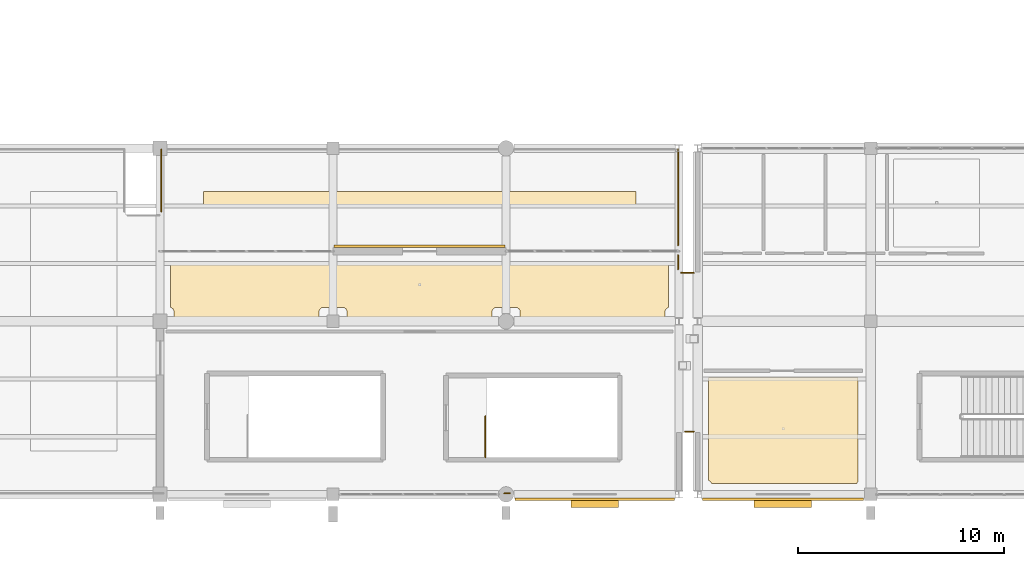
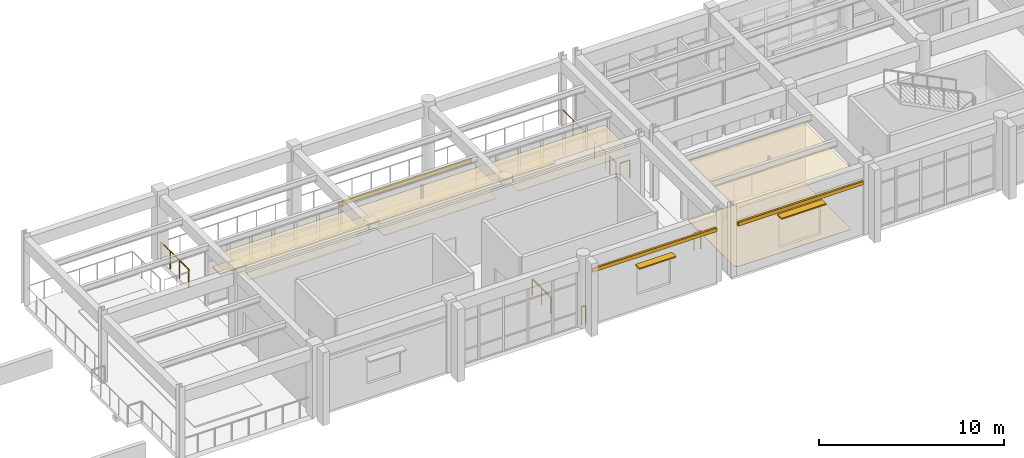
# One storey, part 122 of 139: 7 coverings, 7 railings, 2 shading devices.
"""IFC4 building model written with IfcOpenShell, lengths in metres."""

from ifc_helpers import new_model, si_unit, direction, frame, origin, origin_2d, place, context, subcontext, project, spatial, polyline, rectangle, circle, outline, extrude, material, layer, layer_set, type_object, element, save


model = new_model("IFC4")

# Units and contexts
model_context = context("Model", 3, precision=1e-05, world=origin(), true_north=direction((0.0, 1.0)))
body_context = subcontext(model_context, "Body", "Model", "MODEL_VIEW")
ifc_project = project(units=[si_unit("LENGTHUNIT", "METRE"), si_unit("AREAUNIT", "SQUARE_METRE"), si_unit("VOLUMEUNIT", "CUBIC_METRE"), si_unit("PLANEANGLEUNIT", "RADIAN"), si_unit("MASSUNIT", "GRAM", prefix="KILO")], contexts=[model_context])

# Site, building, storey
site_placement = place(None, origin())
site = spatial("IfcSite", under=ifc_project, at=site_placement, CompositionType="ELEMENT")
building_placement = place(site_placement, origin())
building = spatial("IfcBuilding", under=site, at=building_placement, Name="Canglan Escarpment Cableway Terminal", CompositionType="ELEMENT")
storey_placement = place(building_placement, frame((0.0, 0.0, 14.39990234375)))
storey = spatial("IfcBuildingStorey", under=building, at=storey_placement, Name="L03", CompositionType="ELEMENT", Elevation=14.39990234375)

# Coverings
ifc_material_1 = material(Name="Micro-perforated acoustic aluminium ceiling", Category="aluminium")
ifc_layer_1 = layer(ifc_material_1, 0.0400390625, Name="Micro-perforated acoustic aluminium ceiling")
ifc_layer_set_1 = layer_set([ifc_layer_1], Name="Micro-perforated acoustic aluminium ceiling")
covering_type_1 = type_object("IfcCoveringType", Name="COV-CEIL-ACOUSTIC-40", PredefinedType="CEILING", material=ifc_layer_set_1)
covering_1_placement = place(storey_placement, frame((0.0, 0.0, 3.580078125)))
element("IfcCovering", 1, at=covering_1_placement, inside=storey, type_object=covering_type_1, Name="Highland Photography Gallery suspended acoustic ceiling", PredefinedType="CEILING", context=body_context, shape_type="SweptSolid", body=[
    extrude(outline(polyline([(85.933349609375, 17.067138671875), (85.931396484375, 17.06787109375), (85.9296875, 17.06884765625), (85.92822265625, 17.06982421875), (85.9267578125, 17.071044921875), (85.92529296875, 17.072265625), (85.92431640625, 17.07373046875), (85.923095703125, 17.0751953125), (85.922119140625, 17.076904296875), (85.92138671875, 17.07861328125), (85.9208984375, 17.080322265625), (85.92041015625, 17.082275390625), (85.920166015625, 17.083984375), (85.919921875, 17.0859375), (85.919921875, 19.260009765625), (85.920166015625, 19.261962890625), (85.92041015625, 19.263916015625), (85.9208984375, 19.265869140625), (85.92138671875, 19.267578125), (85.92236328125, 19.269287109375), (85.92333984375, 19.27099609375), (85.924560546875, 19.272705078125), (85.92578125, 19.274169921875), (85.92724609375, 19.275390625), (85.928955078125, 19.276611328125), (85.9306640625, 19.277587890625), (85.932373046875, 19.278564453125), (85.93408203125, 19.279052734375), (85.93603515625, 19.279541015625), (85.93798828125, 19.27978515625), (85.93994140625, 19.280029296875), (110.06005859375, 19.280029296875), (110.06201171875, 19.27978515625), (110.06396484375, 19.279541015625), (110.06591796875, 19.279052734375), (110.067626953125, 19.278564453125), (110.0693359375, 19.277587890625), (110.071044921875, 19.276611328125), (110.07275390625, 19.275390625), (110.07421875, 19.274169921875), (110.075439453125, 19.272705078125), (110.07666015625, 19.27099609375), (110.07763671875, 19.269287109375), (110.07861328125, 19.267578125), (110.0791015625, 19.265869140625), (110.07958984375, 19.263916015625), (110.079833984375, 19.261962890625), (110.080078125, 19.260009765625), (110.080078125, 17.0859375), (110.079833984375, 17.083984375), (110.07958984375, 17.082275390625), (110.0791015625, 17.080322265625), (110.07861328125, 17.07861328125), (110.077880859375, 17.076904296875), (110.076904296875, 17.0751953125), (110.07568359375, 17.07373046875), (110.07470703125, 17.072265625), (110.0732421875, 17.071044921875), (110.07177734375, 17.06982421875), (110.0703125, 17.06884765625), (110.068603515625, 17.06787109375), (110.066650390625, 17.067138671875), (110.056396484375, 17.0634765625), (110.055419921875, 17.06298828125), (110.03662109375, 17.05419921875), (110.035888671875, 17.0537109375), (110.018310546875, 17.043212890625), (110.017333984375, 17.04248046875), (110.000732421875, 17.030517578125), (110.0, 17.02978515625), (109.98486328125, 17.015869140625), (109.984130859375, 17.01513671875), (109.97021484375, 17.0), (109.969482421875, 16.999267578125), (109.95751953125, 16.982666015625), (109.956787109375, 16.981689453125), (109.9462890625, 16.964111328125), (109.94580078125, 16.96337890625), (109.93701171875, 16.944580078125), (109.9365234375, 16.943603515625), (109.9296875, 16.92431640625), (109.929443359375, 16.92333984375), (109.92431640625, 16.9033203125), (109.92431640625, 16.90234375), (109.921142578125, 16.882080078125), (109.9208984375, 16.881103515625), (109.919921875, 16.860107421875), (109.919921875, 16.85986328125), (109.919921875, 16.239990234375), (109.919921875, 16.238037109375), (109.919677734375, 16.236083984375), (109.919189453125, 16.234130859375), (109.91845703125, 16.232421875), (109.91748046875, 16.230712890625), (109.91650390625, 16.22900390625), (109.91552734375, 16.227294921875), (109.9140625, 16.225830078125), (109.91259765625, 16.224609375), (109.9111328125, 16.223388671875), (109.909423828125, 16.222412109375), (109.90771484375, 16.221435546875), (109.90576171875, 16.220947265625), (109.90380859375, 16.220458984375), (109.902099609375, 16.22021484375), (109.89990234375, 16.219970703125), (102.89990234375, 16.219970703125), (102.89794921875, 16.22021484375), (102.89599609375, 16.220458984375), (102.894287109375, 16.220947265625), (102.892333984375, 16.221435546875), (102.890625, 16.222412109375), (102.888916015625, 16.223388671875), (102.88720703125, 16.224609375), (102.885986328125, 16.225830078125), (102.884521484375, 16.227294921875), (102.88330078125, 16.22900390625), (102.88232421875, 16.230712890625), (102.881591796875, 16.232421875), (102.880859375, 16.234130859375), (102.88037109375, 16.236083984375), (102.880126953125, 16.238037109375), (102.8798828125, 16.239990234375), (102.8798828125, 16.85986328125), (102.8798828125, 16.860107421875), (102.87890625, 16.881103515625), (102.87890625, 16.882080078125), (102.875732421875, 16.90234375), (102.875732421875, 16.9033203125), (102.87060546875, 16.92333984375), (102.870361328125, 16.92431640625), (102.86328125, 16.943603515625), (102.863037109375, 16.944580078125), (102.854248046875, 16.96337890625), (102.853759765625, 16.964111328125), (102.84326171875, 16.981689453125), (102.842529296875, 16.982666015625), (102.830322265625, 16.999267578125), (102.82958984375, 17.0), (102.81591796875, 17.01513671875), (102.815185546875, 17.015869140625), (102.7998046875, 17.02978515625), (102.79931640625, 17.030517578125), (102.78271484375, 17.04248046875), (102.78173828125, 17.043212890625), (102.76416015625, 17.0537109375), (102.76318359375, 17.05419921875), (102.74462890625, 17.06298828125), (102.74365234375, 17.0634765625), (102.724365234375, 17.0703125), (102.723388671875, 17.070556640625), (102.703369140625, 17.07568359375), (102.702392578125, 17.07568359375), (102.681884765625, 17.078857421875), (102.68115234375, 17.0791015625), (102.66015625, 17.080078125), (102.659912109375, 17.080078125), (101.740234375, 17.080078125), (101.73974609375, 17.080078125), (101.718994140625, 17.0791015625), (101.718017578125, 17.078857421875), (101.697509765625, 17.07568359375), (101.696533203125, 17.07568359375), (101.676513671875, 17.070556640625), (101.67578125, 17.0703125), (101.65625, 17.0634765625), (101.655517578125, 17.06298828125), (101.63671875, 17.05419921875), (101.635986328125, 17.0537109375), (101.6181640625, 17.043212890625), (101.617431640625, 17.04248046875), (101.600830078125, 17.030517578125), (101.60009765625, 17.02978515625), (101.584716796875, 17.015869140625), (101.583984375, 17.01513671875), (101.5703125, 17.0), (101.569580078125, 16.999267578125), (101.557373046875, 16.982666015625), (101.556884765625, 16.981689453125), (101.546142578125, 16.964111328125), (101.5458984375, 16.96337890625), (101.537109375, 16.944580078125), (101.53662109375, 16.943603515625), (101.529541015625, 16.92431640625), (101.529296875, 16.92333984375), (101.5244140625, 16.9033203125), (101.524169921875, 16.90234375), (101.52099609375, 16.882080078125), (101.52099609375, 16.881103515625), (101.52001953125, 16.860107421875), (101.52001953125, 16.85986328125), (101.52001953125, 16.239990234375), (101.52001953125, 16.238037109375), (101.51953125, 16.236083984375), (101.51904296875, 16.234130859375), (101.5185546875, 16.232421875), (101.517578125, 16.230712890625), (101.5166015625, 16.22900390625), (101.515380859375, 16.227294921875), (101.51416015625, 16.225830078125), (101.5126953125, 16.224609375), (101.510986328125, 16.223388671875), (101.509521484375, 16.222412109375), (101.5078125, 16.221435546875), (101.505859375, 16.220947265625), (101.50390625, 16.220458984375), (101.501953125, 16.22021484375), (101.5, 16.219970703125), (94.5, 16.219970703125), (94.498046875, 16.22021484375), (94.49609375, 16.220458984375), (94.494140625, 16.220947265625), (94.4921875, 16.221435546875), (94.490478515625, 16.222412109375), (94.489013671875, 16.223388671875), (94.4873046875, 16.224609375), (94.48583984375, 16.225830078125), (94.484619140625, 16.227294921875), (94.4833984375, 16.22900390625), (94.482421875, 16.230712890625), (94.4814453125, 16.232421875), (94.48095703125, 16.234130859375), (94.48046875, 16.236083984375), (94.47998046875, 16.238037109375), (94.47998046875, 16.239990234375), (94.47998046875, 16.85986328125), (94.47998046875, 16.860107421875), (94.47900390625, 16.881103515625), (94.47900390625, 16.882080078125), (94.475830078125, 16.90234375), (94.4755859375, 16.9033203125), (94.470703125, 16.92333984375), (94.470458984375, 16.92431640625), (94.46337890625, 16.943603515625), (94.462890625, 16.944580078125), (94.4541015625, 16.96337890625), (94.453857421875, 16.964111328125), (94.443115234375, 16.981689453125), (94.442626953125, 16.982666015625), (94.430419921875, 16.999267578125), (94.4296875, 17.0), (94.416015625, 17.01513671875), (94.415283203125, 17.015869140625), (94.39990234375, 17.02978515625), (94.399169921875, 17.030517578125), (94.382568359375, 17.04248046875), (94.3818359375, 17.043212890625), (94.364013671875, 17.0537109375), (94.36328125, 17.05419921875), (94.344482421875, 17.06298828125), (94.34375, 17.0634765625), (94.32421875, 17.0703125), (94.323486328125, 17.070556640625), (94.303466796875, 17.07568359375), (94.302490234375, 17.07568359375), (94.281982421875, 17.078857421875), (94.281005859375, 17.0791015625), (94.26025390625, 17.080078125), (94.259765625, 17.080078125), (93.340087890625, 17.080078125), (93.33984375, 17.080078125), (93.31884765625, 17.0791015625), (93.318115234375, 17.078857421875), (93.297607421875, 17.07568359375), (93.296630859375, 17.07568359375), (93.276611328125, 17.070556640625), (93.275634765625, 17.0703125), (93.25634765625, 17.0634765625), (93.25537109375, 17.06298828125), (93.23681640625, 17.05419921875), (93.23583984375, 17.0537109375), (93.21826171875, 17.043212890625), (93.21728515625, 17.04248046875), (93.20068359375, 17.030517578125), (93.2001953125, 17.02978515625), (93.184814453125, 17.015869140625), (93.18408203125, 17.01513671875), (93.17041015625, 17.0), (93.169677734375, 16.999267578125), (93.157470703125, 16.982666015625), (93.15673828125, 16.981689453125), (93.146240234375, 16.964111328125), (93.145751953125, 16.96337890625), (93.136962890625, 16.944580078125), (93.13671875, 16.943603515625), (93.129638671875, 16.92431640625), (93.12939453125, 16.92333984375), (93.124267578125, 16.9033203125), (93.124267578125, 16.90234375), (93.12109375, 16.882080078125), (93.12109375, 16.881103515625), (93.1201171875, 16.860107421875), (93.1201171875, 16.85986328125), (93.1201171875, 16.239990234375), (93.119873046875, 16.238037109375), (93.11962890625, 16.236083984375), (93.119140625, 16.234130859375), (93.118408203125, 16.232421875), (93.11767578125, 16.230712890625), (93.11669921875, 16.22900390625), (93.115478515625, 16.227294921875), (93.114013671875, 16.225830078125), (93.11279296875, 16.224609375), (93.111083984375, 16.223388671875), (93.109375, 16.222412109375), (93.107666015625, 16.221435546875), (93.105712890625, 16.220947265625), (93.10400390625, 16.220458984375), (93.10205078125, 16.22021484375), (93.10009765625, 16.219970703125), (86.10009765625, 16.219970703125), (86.097900390625, 16.22021484375), (86.09619140625, 16.220458984375), (86.09423828125, 16.220947265625), (86.09228515625, 16.221435546875), (86.090576171875, 16.222412109375), (86.0888671875, 16.223388671875), (86.08740234375, 16.224609375), (86.0859375, 16.225830078125), (86.08447265625, 16.227294921875), (86.08349609375, 16.22900390625), (86.08251953125, 16.230712890625), (86.08154296875, 16.232421875), (86.080810546875, 16.234130859375), (86.080322265625, 16.236083984375), (86.080078125, 16.238037109375), (86.080078125, 16.239990234375), (86.080078125, 16.85986328125), (86.080078125, 16.860107421875), (86.0791015625, 16.881103515625), (86.078857421875, 16.882080078125), (86.07568359375, 16.90234375), (86.07568359375, 16.9033203125), (86.070556640625, 16.92333984375), (86.0703125, 16.92431640625), (86.0634765625, 16.943603515625), (86.06298828125, 16.944580078125), (86.05419921875, 16.96337890625), (86.0537109375, 16.964111328125), (86.043212890625, 16.981689453125), (86.04248046875, 16.982666015625), (86.030517578125, 16.999267578125), (86.02978515625, 17.0), (86.015869140625, 17.01513671875), (86.01513671875, 17.015869140625), (86.0, 17.02978515625), (85.999267578125, 17.030517578125), (85.982666015625, 17.04248046875), (85.981689453125, 17.043212890625), (85.964111328125, 17.0537109375), (85.96337890625, 17.05419921875), (85.944580078125, 17.06298828125), (85.943603515625, 17.0634765625), (85.933349609375, 17.067138671875)])), origin(), (0.0, 0.0, 1.0), 0.0400390625),
])
ifc_material_2 = material(Name="Moisture-resistant acoustic gypsum ceiling", Category="gypsum")
ifc_layer_2 = layer(ifc_material_2, 0.030029296875, Name="Moisture-resistant acoustic gypsum ceiling")
ifc_layer_set_2 = layer_set([ifc_layer_2], Name="Moisture-resistant acoustic gypsum ceiling")
covering_type_2 = type_object("IfcCoveringType", Name="COV-CEIL-GYPSUM-30", PredefinedType="CEILING", material=ifc_layer_set_2)
covering_2_placement = place(storey_placement, frame((0.0, 0.0, 3.97021484375)))
element("IfcCovering", 2, at=covering_2_placement, inside=storey, type_object=covering_type_2, Name="Weather Radar Monitoring Room suspended acoustic ceiling", PredefinedType="CEILING", context=body_context, shape_type="SweptSolid", body=[
    extrude(outline(polyline([(112.033203125, 8.667236328125), (112.031494140625, 8.66796875), (112.02978515625, 8.668701171875), (112.0283203125, 8.669921875), (112.02685546875, 8.6708984375), (112.025390625, 8.67236328125), (112.024169921875, 8.673583984375), (112.023193359375, 8.67529296875), (112.022216796875, 8.677001953125), (112.021484375, 8.6787109375), (112.020751953125, 8.680419921875), (112.0205078125, 8.68212890625), (112.02001953125, 8.68408203125), (112.02001953125, 8.68603515625), (112.02001953125, 13.659912109375), (112.02001953125, 13.662109375), (112.0205078125, 13.663818359375), (112.02099609375, 13.665771484375), (112.021484375, 13.667724609375), (112.0224609375, 13.66943359375), (112.0234375, 13.671142578125), (112.0244140625, 13.672607421875), (112.02587890625, 13.674072265625), (112.02734375, 13.675537109375), (112.02880859375, 13.676513671875), (112.030517578125, 13.677490234375), (112.0322265625, 13.678466796875), (112.0341796875, 13.67919921875), (112.0361328125, 13.6796875), (112.0380859375, 13.679931640625), (112.0400390625, 13.679931640625), (119.260009765625, 13.679931640625), (119.261962890625, 13.679931640625), (119.263916015625, 13.6796875), (119.265869140625, 13.67919921875), (119.267578125, 13.678466796875), (119.269287109375, 13.677490234375), (119.27099609375, 13.676513671875), (119.272705078125, 13.675537109375), (119.274169921875, 13.674072265625), (119.275390625, 13.672607421875), (119.276611328125, 13.671142578125), (119.277587890625, 13.66943359375), (119.278564453125, 13.667724609375), (119.279052734375, 13.665771484375), (119.279541015625, 13.663818359375), (119.27978515625, 13.662109375), (119.280029296875, 13.659912109375), (119.280029296875, 8.618408203125), (119.27978515625, 8.6162109375), (119.279541015625, 8.6142578125), (119.279052734375, 8.6123046875), (119.2783203125, 8.610107421875), (119.27734375, 8.6083984375), (119.276123046875, 8.606689453125), (119.27490234375, 8.60498046875), (119.270263671875, 8.599853515625), (119.26953125, 8.59912109375), (119.25732421875, 8.58251953125), (119.2568359375, 8.581787109375), (119.24609375, 8.564208984375), (119.245849609375, 8.563232421875), (119.237060546875, 8.544677734375), (119.236572265625, 8.543701171875), (119.23291015625, 8.533203125), (119.232177734375, 8.531494140625), (119.231201171875, 8.52978515625), (119.230224609375, 8.5283203125), (119.22900390625, 8.52685546875), (119.227783203125, 8.525390625), (119.226318359375, 8.524169921875), (119.224609375, 8.523193359375), (119.22314453125, 8.522216796875), (119.221435546875, 8.521484375), (119.219482421875, 8.520751953125), (119.2177734375, 8.5205078125), (119.2158203125, 8.52001953125), (119.214111328125, 8.52001953125), (112.18603515625, 8.52001953125), (112.18408203125, 8.52001953125), (112.18212890625, 8.5205078125), (112.180419921875, 8.520751953125), (112.1787109375, 8.521484375), (112.177001953125, 8.522216796875), (112.17529296875, 8.523193359375), (112.173583984375, 8.524169921875), (112.17236328125, 8.525390625), (112.1708984375, 8.52685546875), (112.169921875, 8.5283203125), (112.168701171875, 8.52978515625), (112.16796875, 8.531494140625), (112.167236328125, 8.533203125), (112.163330078125, 8.543701171875), (112.1630859375, 8.544677734375), (112.154296875, 8.563232421875), (112.15380859375, 8.564208984375), (112.143310546875, 8.581787109375), (112.142578125, 8.58251953125), (112.13037109375, 8.59912109375), (112.129638671875, 8.599853515625), (112.115966796875, 8.615234375), (112.115234375, 8.615966796875), (112.099853515625, 8.629638671875), (112.09912109375, 8.63037109375), (112.08251953125, 8.642578125), (112.081787109375, 8.643310546875), (112.064208984375, 8.65380859375), (112.063232421875, 8.654296875), (112.044677734375, 8.6630859375), (112.043701171875, 8.663330078125), (112.033203125, 8.667236328125)])), origin(), (0.0, 0.0, 1.0), 0.02978515625),
])
ifc_material_3 = material(Name="Carved classical limestone cornice", Category="masonry")
ifc_layer_3 = layer(ifc_material_3, 0.1201171875, Name="Carved classical limestone cornice")
ifc_layer_set_3 = layer_set([ifc_layer_3], Name="Carved classical limestone cornice")
covering_type_3 = type_object("IfcCoveringType", Name="COV-CORNICE-STONE", PredefinedType="CLADDING", material=ifc_layer_set_3)
covering_3_placement = place(storey_placement, frame((106.5, 7.760009765625, 3.47509765625), z_axis=(0.0, 0.0, 1.0), x_axis=(1.0, 0.0, 0.0)))
element("IfcCovering", 3, at=covering_3_placement, inside=storey, type_object=covering_type_3, Name="Classical carved limestone cornice CL-01", PredefinedType="CLADDING", context=body_context, shape_type="SweptSolid", body=[
    extrude(rectangle(XDim=7.75, YDim=0.1201171875, at=origin_2d()), origin(), (0.0, 0.0, 1.0), 0.239990234375),
])
covering_4_placement = place(storey_placement, frame((98.0, 20.0400390625, 3.47509765625), z_axis=(0.0, 0.0, 1.0), x_axis=(-1.0, 0.0, 0.0)))
element("IfcCovering", 4, at=covering_4_placement, inside=storey, type_object=covering_type_3, Name="Classical carved limestone cornice CL-01", PredefinedType="CLADDING", context=body_context, shape_type="SweptSolid", body=[
    extrude(rectangle(XDim=8.300048828125, YDim=0.1201171875, at=origin_2d()), origin(), (0.0, 0.0, 1.0), 0.239990234375),
])
covering_5_placement = place(storey_placement, frame((115.637451171875, 7.760009765625, 3.35498046875), z_axis=(0.0, 0.0, 1.0), x_axis=(1.0, 0.0, 0.0)))
element("IfcCovering", 5, at=covering_5_placement, inside=storey, type_object=covering_type_3, Name="Classical carved limestone cornice CL-01", PredefinedType="CLADDING", context=body_context, shape_type="SweptSolid", body=[
    extrude(rectangle(XDim=7.824951171875, YDim=0.1201171875, at=origin_2d()), origin(), (0.0, 0.0, 1.0), 0.239990234375),
])
ifc_material_4 = material(Name="Honed Sichuan grey granite flooring", Category="masonry")
ifc_layer_4 = layer(ifc_material_4, 0.02001953125, Name="Honed Sichuan grey granite flooring")
ifc_layer_set_4 = layer_set([ifc_layer_4], Name="Honed Sichuan grey granite flooring")
covering_type_4 = type_object("IfcCoveringType", Name="COV-FLR-GRANITE-20", PredefinedType="FLOORING", material=ifc_layer_set_4)
covering_6_placement = place(storey_placement, origin())
element("IfcCovering", 6, at=covering_6_placement, inside=storey, type_object=covering_type_4, Name="Weather Radar Monitoring Room stone floor finish", PredefinedType="FLOORING", context=body_context, shape_type="SweptSolid", body=[
    extrude(outline(polyline([(112.033203125, 8.667236328125), (112.031494140625, 8.66796875), (112.02978515625, 8.668701171875), (112.0283203125, 8.669921875), (112.02685546875, 8.6708984375), (112.025390625, 8.67236328125), (112.024169921875, 8.673583984375), (112.023193359375, 8.67529296875), (112.022216796875, 8.677001953125), (112.021484375, 8.6787109375), (112.020751953125, 8.680419921875), (112.0205078125, 8.68212890625), (112.02001953125, 8.68408203125), (112.02001953125, 8.68603515625), (112.02001953125, 13.659912109375), (112.02001953125, 13.662109375), (112.0205078125, 13.663818359375), (112.02099609375, 13.665771484375), (112.021484375, 13.667724609375), (112.0224609375, 13.66943359375), (112.0234375, 13.671142578125), (112.0244140625, 13.672607421875), (112.02587890625, 13.674072265625), (112.02734375, 13.675537109375), (112.02880859375, 13.676513671875), (112.030517578125, 13.677490234375), (112.0322265625, 13.678466796875), (112.0341796875, 13.67919921875), (112.0361328125, 13.6796875), (112.0380859375, 13.679931640625), (112.0400390625, 13.679931640625), (119.260009765625, 13.679931640625), (119.261962890625, 13.679931640625), (119.263916015625, 13.6796875), (119.265869140625, 13.67919921875), (119.267578125, 13.678466796875), (119.269287109375, 13.677490234375), (119.27099609375, 13.676513671875), (119.272705078125, 13.675537109375), (119.274169921875, 13.674072265625), (119.275390625, 13.672607421875), (119.276611328125, 13.671142578125), (119.277587890625, 13.66943359375), (119.278564453125, 13.667724609375), (119.279052734375, 13.665771484375), (119.279541015625, 13.663818359375), (119.27978515625, 13.662109375), (119.280029296875, 13.659912109375), (119.280029296875, 8.618408203125), (119.27978515625, 8.6162109375), (119.279541015625, 8.6142578125), (119.279052734375, 8.6123046875), (119.2783203125, 8.610107421875), (119.27734375, 8.6083984375), (119.276123046875, 8.606689453125), (119.27490234375, 8.60498046875), (119.270263671875, 8.599853515625), (119.26953125, 8.59912109375), (119.25732421875, 8.58251953125), (119.2568359375, 8.581787109375), (119.24609375, 8.564208984375), (119.245849609375, 8.563232421875), (119.237060546875, 8.544677734375), (119.236572265625, 8.543701171875), (119.23291015625, 8.533203125), (119.232177734375, 8.531494140625), (119.231201171875, 8.52978515625), (119.230224609375, 8.5283203125), (119.22900390625, 8.52685546875), (119.227783203125, 8.525390625), (119.226318359375, 8.524169921875), (119.224609375, 8.523193359375), (119.22314453125, 8.522216796875), (119.221435546875, 8.521484375), (119.219482421875, 8.520751953125), (119.2177734375, 8.5205078125), (119.2158203125, 8.52001953125), (119.214111328125, 8.52001953125), (112.18603515625, 8.52001953125), (112.18408203125, 8.52001953125), (112.18212890625, 8.5205078125), (112.180419921875, 8.520751953125), (112.1787109375, 8.521484375), (112.177001953125, 8.522216796875), (112.17529296875, 8.523193359375), (112.173583984375, 8.524169921875), (112.17236328125, 8.525390625), (112.1708984375, 8.52685546875), (112.169921875, 8.5283203125), (112.168701171875, 8.52978515625), (112.16796875, 8.531494140625), (112.167236328125, 8.533203125), (112.163330078125, 8.543701171875), (112.1630859375, 8.544677734375), (112.154296875, 8.563232421875), (112.15380859375, 8.564208984375), (112.143310546875, 8.581787109375), (112.142578125, 8.58251953125), (112.13037109375, 8.59912109375), (112.129638671875, 8.599853515625), (112.115966796875, 8.615234375), (112.115234375, 8.615966796875), (112.099853515625, 8.629638671875), (112.09912109375, 8.63037109375), (112.08251953125, 8.642578125), (112.081787109375, 8.643310546875), (112.064208984375, 8.65380859375), (112.063232421875, 8.654296875), (112.044677734375, 8.6630859375), (112.043701171875, 8.663330078125), (112.033203125, 8.667236328125)])), origin(), (0.0, 0.0, 1.0), 0.02001953125),
])
ifc_material_5 = material(Name="Planted extensive sedum green roof assembly", Category="earth")
ifc_layer_5 = layer(ifc_material_5, 0.090087890625, Name="Planted extensive sedum green roof assembly")
ifc_layer_set_5 = layer_set([ifc_layer_5], Name="Planted extensive sedum green roof assembly")
covering_type_5 = type_object("IfcCoveringType", Name="COV-ROOF-GREEN", PredefinedType="ROOFING", material=ifc_layer_set_5)
covering_7_placement = place(storey_placement, frame((98.0, 22.300048828125, 0.0), z_axis=(0.0, 0.0, 1.0), x_axis=(1.0, 0.0, 0.0)))
element("IfcCovering", 7, at=covering_7_placement, inside=storey, type_object=covering_type_5, Name="Planted extensive sedum green roof garden RF-G1", PredefinedType="ROOFING", context=body_context, shape_type="SweptSolid", body=[
    extrude(rectangle(XDim=21.0, YDim=0.800048828125, at=origin_2d()), origin(), (0.0, 0.0, 1.0), 0.090087890625),
])

# Railings
ifc_material_6 = material(Name="Carved limestone and anodized bronze balustrade", Category="masonry")
railing_type_1 = type_object("IfcRailingType", Name="RL-EXT-BALUSTRADE-1200", PredefinedType="BALUSTRADE", material=ifc_material_6)
railing_1_placement = place(storey_placement, frame((85.449951171875, 21.72998046875, 0.0)))
element("IfcRailing", 8, at=railing_1_placement, inside=storey, type_object=railing_type_1, Name="Classical terrace balustrade guard GD-01 (L03)", PredefinedType="BALUSTRADE", context=body_context, shape_type="SweptSolid", body=[
    extrude(circle(Radius=0.02392578125, at=origin_2d()), frame((0.0, 0.0, 1.17578125), z_axis=(0.0, 1.0, 0.0), x_axis=(-1.0, 0.0, 0.0)), (0.0, 0.0, 1.0), 3.01806640625),
    extrude(circle(Radius=0.02099609375, at=origin_2d()), origin(), (0.0, 0.0, 1.0), 1.15185546875),
    extrude(circle(Radius=0.02099609375, at=origin_2d()), frame((0.0, 1.006103515625, 0.0)), (0.0, 0.0, 1.0), 1.15185546875),
    extrude(circle(Radius=0.02099609375, at=origin_2d()), frame((0.0, 2.011962890625, 0.0)), (0.0, 0.0, 1.0), 1.15185546875),
    extrude(circle(Radius=0.02099609375, at=origin_2d()), frame((0.0, 3.01806640625, 0.0)), (0.0, 0.0, 1.0), 1.15185546875),
])
railing_2_placement = place(storey_placement, frame((110.548095703125, 24.75, 0.0)))
element("IfcRailing", 9, at=railing_2_placement, inside=storey, type_object=railing_type_1, Name="Classical terrace balustrade guard GD-01 (L03)", PredefinedType="BALUSTRADE", context=body_context, shape_type="SweptSolid", body=[
    extrude(circle(Radius=0.02392578125, at=origin_2d()), frame((0.0, 0.0, 1.17578125), z_axis=(0.000419133405, -0.999999912164, 0.0), x_axis=(0.999999912164, 0.000419133405, 0.0)), (0.0, 0.0, 1.0), 4.659912109375),
    extrude(circle(Radius=0.02099609375, at=origin_2d()), origin(), (0.0, 0.0, 1.0), 1.15185546875),
    extrude(circle(Radius=0.02099609375, at=origin_2d()), frame((0.00048828125, -1.1650390625, 0.0)), (0.0, 0.0, 1.0), 1.15185546875),
    extrude(circle(Radius=0.02099609375, at=origin_2d()), frame((0.0009765625, -2.330078125, 0.0)), (0.0, 0.0, 1.0), 1.15185546875),
    extrude(circle(Radius=0.02099609375, at=origin_2d()), frame((0.00146484375, -3.494873046875, 0.0)), (0.0, 0.0, 1.0), 1.15185546875),
    extrude(circle(Radius=0.02099609375, at=origin_2d()), frame((0.001953125, -4.659912109375, 0.0)), (0.0, 0.0, 1.0), 1.15185546875),
])
railing_3_placement = place(storey_placement, frame((110.550048828125, 19.610107421875, 0.0)))
element("IfcRailing", 10, at=railing_3_placement, inside=storey, type_object=railing_type_1, Name="Classical terrace balustrade guard GD-01 (L03)", PredefinedType="BALUSTRADE", context=body_context, shape_type="SweptSolid", body=[
    extrude(circle(Radius=0.02392578125, at=origin_2d()), frame((0.0, 0.0, 1.17578125), z_axis=(0.0, -1.0, 0.0), x_axis=(1.0, 0.0, 0.0)), (0.0, 0.0, 1.0), 0.68017578125),
    extrude(circle(Radius=0.02099609375, at=origin_2d()), origin(), (0.0, 0.0, 1.0), 1.15185546875),
    extrude(circle(Radius=0.02099609375, at=origin_2d()), frame((0.0, -0.68017578125, 0.0)), (0.0, 0.0, 1.0), 1.15185546875),
])
railing_4_placement = place(storey_placement, frame((110.699462890625, 18.756103515625, 0.0)))
element("IfcRailing", 11, at=railing_4_placement, inside=storey, type_object=railing_type_1, Name="Classical terrace balustrade guard GD-01 (L03)", PredefinedType="BALUSTRADE", context=body_context, shape_type="SweptSolid", body=[
    extrude(circle(Radius=0.02392578125, at=origin_2d()), frame((0.0, 0.0, 1.17578125), z_axis=(0.99995004372, -0.009995502236, 0.0), x_axis=(0.009995502236, 0.99995004372, 0.0)), (0.0, 0.0, 1.0), 0.610595703125),
    extrude(circle(Radius=0.02099609375, at=origin_2d()), origin(), (0.0, 0.0, 1.0), 1.15185546875),
    extrude(circle(Radius=0.02099609375, at=origin_2d()), frame((0.610595703125, -0.006103515625, 0.0)), (0.0, 0.0, 1.0), 1.15185546875),
])
railing_5_placement = place(storey_placement, frame((111.31005859375, 11.050048828125, 0.0)))
element("IfcRailing", 12, at=railing_5_placement, inside=storey, type_object=railing_type_1, Name="Classical terrace balustrade guard GD-01 (L03)", PredefinedType="BALUSTRADE", context=body_context, shape_type="SweptSolid", body=[
    extrude(circle(Radius=0.02392578125, at=origin_2d()), frame((0.0, 0.0, 1.17578125), z_axis=(-1.0, 0.0, 0.0), x_axis=(0.0, -1.0, 0.0)), (0.0, 0.0, 1.0), 0.420166015625),
    extrude(circle(Radius=0.02099609375, at=origin_2d()), origin(), (0.0, 0.0, 1.0), 1.15185546875),
    extrude(circle(Radius=0.02099609375, at=origin_2d()), frame((-0.420166015625, 0.0, 0.0)), (0.0, 0.0, 1.0), 1.15185546875),
])
railing_6_placement = place(storey_placement, frame((102.385009765625, 8.050048828125, 0.0)))
element("IfcRailing", 13, at=railing_6_placement, inside=storey, type_object=railing_type_1, Name="Classical terrace balustrade guard GD-01 (L03)", PredefinedType="BALUSTRADE", context=body_context, shape_type="SweptSolid", body=[
    extrude(circle(Radius=0.02392578125, at=origin_2d()), frame((0.0, 0.0, 1.17578125), z_axis=(-1.0, 0.0, 0.0), x_axis=(0.0, -1.0, 0.0)), (0.0, 0.0, 1.0), 0.27001953125),
    extrude(circle(Radius=0.02099609375, at=origin_2d()), origin(), (0.0, 0.0, 1.0), 1.15185546875),
    extrude(circle(Radius=0.02099609375, at=origin_2d()), frame((-0.27001953125, 0.0, 0.0)), (0.0, 0.0, 1.0), 1.15185546875),
])
ifc_material_7 = material(Name="Powder-coated steel stair balustrade", Category="steel")
railing_type_2 = type_object("IfcRailingType", Name="RL-STR-GUARD-1100", PredefinedType="BALUSTRADE", material=ifc_material_7)
railing_7_placement = place(storey_placement, frame((101.199951171875, 9.800048828125, 0.0)))
element("IfcRailing", 14, at=railing_7_placement, inside=storey, type_object=railing_type_2, Name="L03 ST-14 top well guard 1", PredefinedType="BALUSTRADE", context=body_context, shape_type="SweptSolid", body=[
    extrude(circle(Radius=0.02392578125, at=origin_2d()), frame((0.0, 0.0, 1.076171875), z_axis=(0.0, 1.0, 0.0), x_axis=(-1.0, 0.0, 0.0)), (0.0, 0.0, 1.0), 2.0),
    extrude(circle(Radius=0.02099609375, at=origin_2d()), origin(), (0.0, 0.0, 1.0), 1.052001953125),
    extrude(circle(Radius=0.02099609375, at=origin_2d()), frame((0.0, 1.0, 0.0)), (0.0, 0.0, 1.0), 1.052001953125),
    extrude(circle(Radius=0.02099609375, at=origin_2d()), frame((0.0, 2.0, 0.0)), (0.0, 0.0, 1.0), 1.052001953125),
])

# Shading devices
ifc_material_8 = material(Name="Anodized architectural bronze aluminium", Category="aluminium")
ifc_layer_6 = layer(ifc_material_8, 0.080078125, Name="Anodized architectural bronze aluminium")
ifc_layer_set_6 = layer_set([ifc_layer_6], Name="Anodized architectural bronze aluminium")
shading_device_type_1 = type_object("IfcShadingDeviceType", Name="SHD-BRONZE-LOUVRE-01", PredefinedType="JALOUSIE", material=ifc_layer_set_6)
shading_device_1_placement = place(storey_placement, frame((106.5, 7.594970703125, 2.920166015625), z_axis=(0.0, 0.0, 1.0), x_axis=(1.0, 0.0, 0.0)))
element("IfcShadingDevice", 15, at=shading_device_1_placement, inside=storey, type_object=shading_device_type_1, Name="Anodized bronze sun-shading brise-soleil SD-01", PredefinedType="JALOUSIE", context=body_context, shape_type="SweptSolid", body=[
    extrude(rectangle(XDim=2.300048828125, YDim=0.449951171875, at=origin_2d()), origin(), (0.0, 0.0, 1.0), 0.080078125),
])
ifc_layer_7 = layer(ifc_material_8, 0.10009765625, Name="Anodized architectural bronze aluminium")
ifc_layer_set_7 = layer_set([ifc_layer_7], Name="Anodized architectural bronze aluminium")
shading_device_type_2 = type_object("IfcShadingDeviceType", Name="SHD-BRONZE-LOUVRE-02", PredefinedType="JALOUSIE", material=ifc_layer_set_7)
shading_device_2_placement = place(storey_placement, frame((115.637451171875, 7.594970703125, 3.1201171875), z_axis=(0.0, 0.0, 1.0), x_axis=(1.0, 0.0, 0.0)))
element("IfcShadingDevice", 16, at=shading_device_2_placement, inside=storey, type_object=shading_device_type_2, Name="Anodized bronze sun-shading brise-soleil SD-01", PredefinedType="JALOUSIE", context=body_context, shape_type="SweptSolid", body=[
    extrude(rectangle(XDim=2.800048828125, YDim=0.449951171875, at=origin_2d()), origin(), (0.0, 0.0, 1.0), 0.080078125),
])

save(model, "model.ifc")
